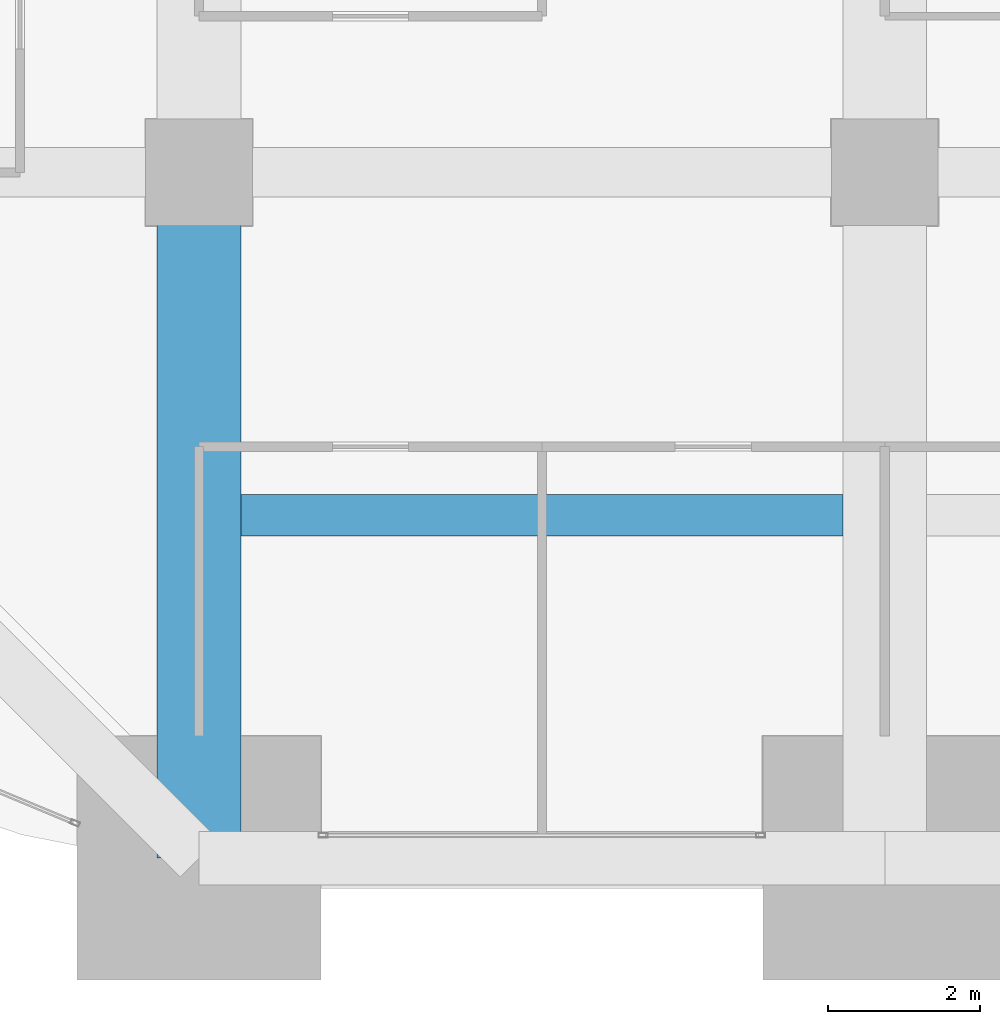
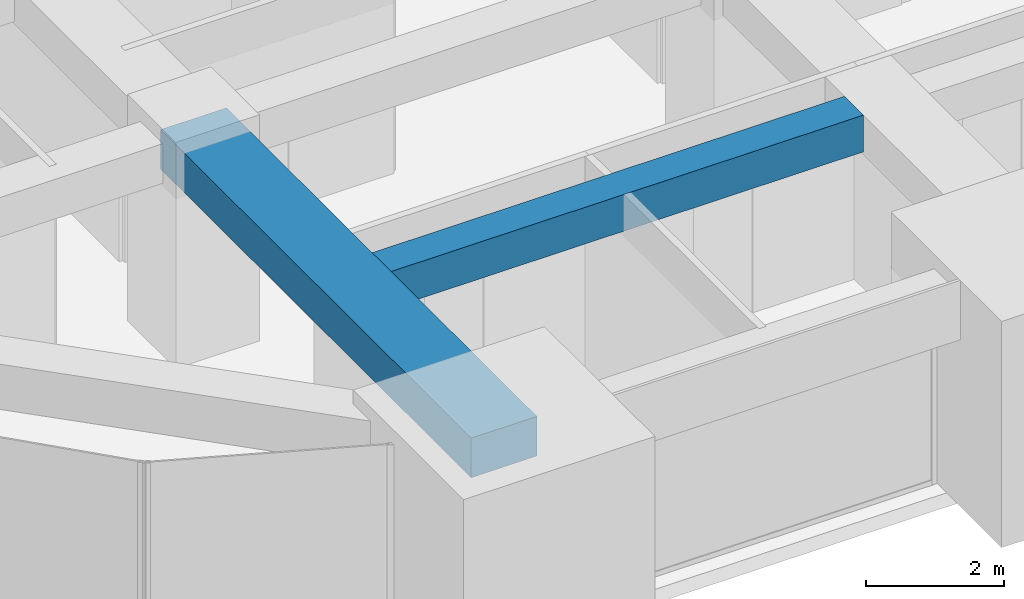
# One storey, part 5 of 43: 2 beams.
"""IFC4 building model written with IfcOpenShell, lengths in metres."""

from ifc_helpers import new_model, si_unit, direction, frame, origin, origin_2d, place, context, subcontext, project, spatial, rectangle, extrude, material, material_profile, profile_set, type_object, element, save


model = new_model("IFC4")

# Units and contexts
model_context = context("Model", 3, precision=1e-05, world=origin(), true_north=direction((0.0, 1.0)))
body_context = subcontext(model_context, "Body", "Model", "MODEL_VIEW")
ifc_project = project(units=[si_unit("LENGTHUNIT", "METRE"), si_unit("AREAUNIT", "SQUARE_METRE"), si_unit("VOLUMEUNIT", "CUBIC_METRE"), si_unit("PLANEANGLEUNIT", "RADIAN"), si_unit("MASSUNIT", "GRAM", prefix="KILO")], contexts=[model_context])

# Site, building, storey
site_placement = place(None, origin())
site = spatial("IfcSite", under=ifc_project, at=site_placement, CompositionType="ELEMENT")
building_placement = place(site_placement, origin())
building = spatial("IfcBuilding", under=site, at=building_placement, Name="Zorevar Civic Tower", CompositionType="ELEMENT")
storey_placement = place(building_placement, frame((0.0, 0.0, 243.39990234375)))
storey = spatial("IfcBuildingStorey", under=building, at=storey_placement, Name="L59", CompositionType="ELEMENT", Elevation=243.39990234375)

# Beams
ifc_material_1 = material(Name="Concrete C50/60", Category="concrete")
ifc_material_profile_1 = material_profile(ifc_material_1, rectangle(XDim=1.10009765625, YDim=0.699951171875, at=origin_2d()), Name="RC 1100x700")
ifc_profile_set_1 = profile_set([ifc_material_profile_1], Name="Concrete C50/60")
beam_type_1 = type_object("IfcBeamType", Name="Beam RC 1100x700", PredefinedType="BEAM", material=ifc_profile_set_1)
beam_1_placement = place(storey_placement, frame((18.0, 0.0, 3.400146484375), z_axis=(0.0, 1.0, 0.0), x_axis=(-1.0, 0.0, 0.0)))
element("IfcBeam", 1, at=beam_1_placement, inside=storey, type_object=beam_type_1, Name="Girder L60", PredefinedType="BEAM", context=body_context, shape_type="SweptSolid", body=[
    extrude(rectangle(XDim=1.10009765625, YDim=0.699951171875, at=origin_2d()), origin(), (0.0, 0.0, 1.0), 9.0),
])
ifc_material_2 = material(Name="Concrete C50/60", Category="concrete")
ifc_material_profile_2 = material_profile(ifc_material_2, rectangle(XDim=0.550048828125, YDim=0.64990234375, at=origin_2d()), Name="RC 550x650")
ifc_profile_set_2 = profile_set([ifc_material_profile_2], Name="Concrete C50/60")
beam_type_2 = type_object("IfcBeamType", Name="Beam RC 550x650", PredefinedType="BEAM", material=ifc_profile_set_2)
beam_2_placement = place(storey_placement, frame((18.550048828125, 4.5, 3.425048828125), z_axis=(1.0, 0.0, 0.0), x_axis=(0.0, 1.0, 0.0)))
element("IfcBeam", 2, at=beam_2_placement, inside=storey, type_object=beam_type_2, Name="Secondary beam L60", PredefinedType="BEAM", context=body_context, shape_type="SweptSolid", body=[
    extrude(rectangle(XDim=0.550048828125, YDim=0.64990234375, at=origin_2d()), origin(), (0.0, 0.0, 1.0), 7.89990234375),
])

save(model, "model.ifc")
